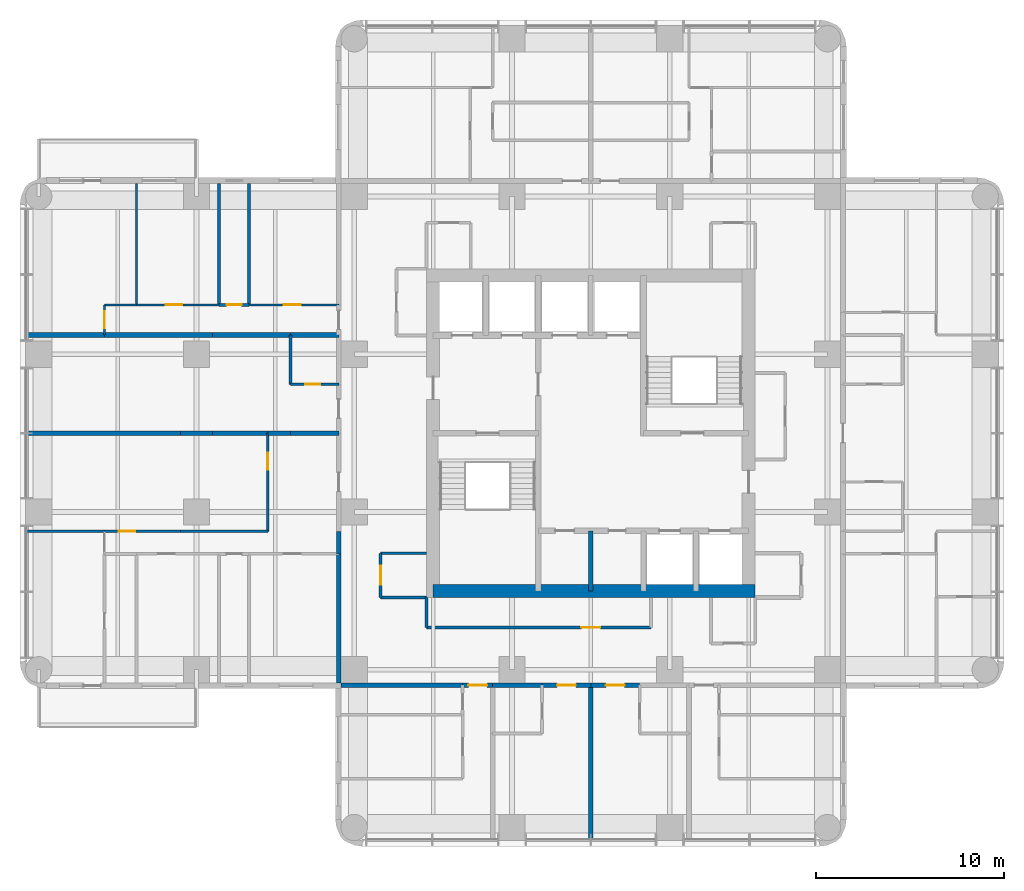
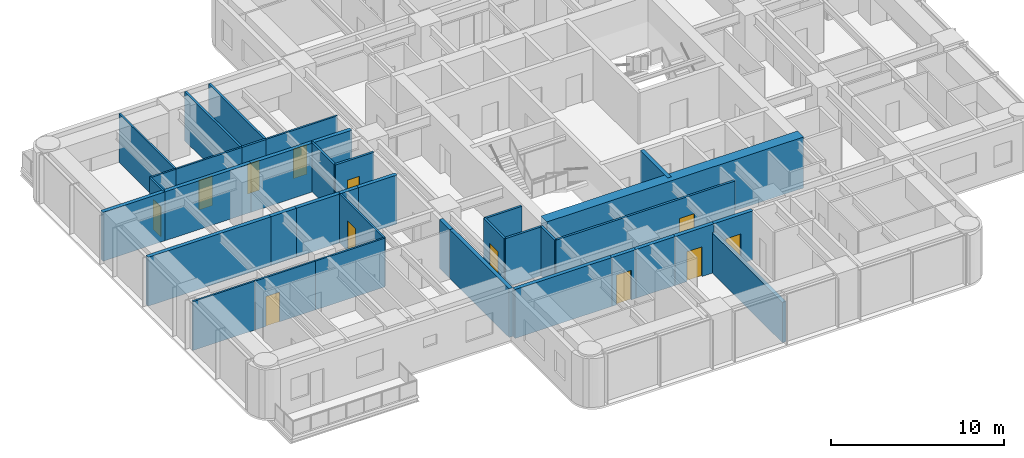
# One storey, part 5 of 11: 38 walls, 12 doors, 12 openings.
"""IFC4 building model written with IfcOpenShell, lengths in metres."""

from ifc_helpers import new_model, si_unit, direction, frame, frame_2d, origin, place, context, subcontext, project, spatial, rectangle, extrude, material, layer, layer_set, type_object, element, fill, save


model = new_model("IFC4")

# Units and contexts
model_context = context("Model", 3, precision=1e-05, world=origin(), true_north=direction((0.0, 1.0)))
body_context = subcontext(model_context, "Body", "Model", "MODEL_VIEW")
ifc_project = project(units=[si_unit("LENGTHUNIT", "METRE"), si_unit("AREAUNIT", "SQUARE_METRE"), si_unit("VOLUMEUNIT", "CUBIC_METRE"), si_unit("PLANEANGLEUNIT", "RADIAN"), si_unit("MASSUNIT", "GRAM", prefix="KILO")], contexts=[model_context])

# Site, building, storey
site_placement = place(None, origin())
site = spatial("IfcSite", under=ifc_project, at=site_placement, CompositionType="ELEMENT")
building_placement = place(site_placement, origin())
building = spatial("IfcBuilding", under=site, at=building_placement, Name="Torre Alcanfor", CompositionType="ELEMENT")
storey_placement = place(building_placement, frame((0.0, 0.0, 237.300048828125)))
storey = spatial("IfcBuildingStorey", under=building, at=storey_placement, Name="L62", CompositionType="ELEMENT", Elevation=237.300048828125)

# Wall, opening, door
ifc_material_1 = material(Name="Concrete block masonry, hollow blocks NMX-C-404 9 MPa", Category="masonry")
ifc_layer_1 = layer(ifc_material_1, 0.25)
ifc_layer_set_1 = layer_set([ifc_layer_1], Name="Apartment entrance wall 250 EI 60")
wall_type_1 = type_object("IfcWallType", Name="Apartment entrance wall 250 EI 60", PredefinedType="PARTITIONING", material=ifc_layer_set_1)
wall_1_placement = place(storey_placement, frame((32.0, 15.97509765625, 0.0), z_axis=(0.0, 0.0, 1.0), x_axis=(-1.0, 0.0, 0.0)))
wall_1 = element("IfcWall", 1, at=wall_1_placement, inside=storey, type_object=wall_type_1, Name="Partition L62-CORR / L62-S1A-STUDIO", PredefinedType="PARTITIONING", context=body_context, shape_type="SweptSolid", body=[
    extrude(rectangle(XDim=2.60009765625, YDim=0.25, at=frame_2d((1.300048828125, 0.0))), origin(), (0.0, 0.0, 1.0), 3.449951171875),
])
opening_1_placement = place(wall_1_placement, frame((0.800048828125, 0.0, 0.0)))
opening_1 = element("IfcOpeningElement", 2, at=opening_1_placement, cuts=wall_1, Name="Opening D-A1", PredefinedType="OPENING", context=body_context, shape_type="SweptSolid", body=[
    extrude(rectangle(XDim=1.0, YDim=2.10009765625, at=frame_2d((0.5, 1.050048828125))), frame((0.0, 0.135009765625, 0.0), z_axis=(0.0, -1.0, 0.0), x_axis=(1.0, 0.0, 0.0)), (0.0, 0.0, 1.0), 0.27001953125),
])
ifc_material_2 = material(Name="Galvanised steel sheet ASTM A653", Category="steel")
door_type_1 = type_object("IfcDoorType", Name="Apartment entrance door FD60 1000x2100", OperationType="SINGLE_SWING_LEFT", PredefinedType="DOOR", material=ifc_material_2)
door_1_placement = place(opening_1_placement, origin())
door_1 = element("IfcDoor", 3, at=door_1_placement, inside=storey, type_object=door_type_1, Name="Apartment entrance L62-S1A", OperationType="SINGLE_SWING_LEFT", OverallHeight=2.10009765625, OverallWidth=1.0, PredefinedType="DOOR", context=body_context, shape_type="SweptSolid", body=[
    extrude(rectangle(XDim=1.0, YDim=2.10009765625, at=frame_2d((0.5, 1.050048828125))), frame((0.0, 0.02490234375, 0.0), z_axis=(0.0, -1.0, 0.0), x_axis=(1.0, 0.0, 0.0)), (0.0, 0.0, 1.0), 0.050048828125),
])
fill(opening_1, door_1)

wall_2_placement = place(storey_placement, frame((29.39990234375, 15.97509765625, 0.0), z_axis=(0.0, 0.0, 1.0), x_axis=(-1.0, 0.0, 0.0)))
wall_2 = element("IfcWall", 4, at=wall_2_placement, inside=storey, type_object=wall_type_1, Name="Partition L62-CORR / L62-S2A-STUDIO", PredefinedType="PARTITIONING", context=body_context, shape_type="SweptSolid", body=[
    extrude(rectangle(XDim=2.599853515625, YDim=0.25, at=frame_2d((1.2998046875, 0.0))), origin(), (0.0, 0.0, 1.0), 3.449951171875),
])
opening_2_placement = place(wall_2_placement, frame((0.800048828125, 0.0, 0.0)))
opening_2 = element("IfcOpeningElement", 5, at=opening_2_placement, cuts=wall_2, Name="Opening D-A1", PredefinedType="OPENING", context=body_context, shape_type="SweptSolid", body=[
    extrude(rectangle(XDim=1.0, YDim=2.10009765625, at=frame_2d((0.5, 1.050048828125))), frame((0.0, 0.135009765625, 0.0), z_axis=(0.0, -1.0, 0.0), x_axis=(1.0, 0.0, 0.0)), (0.0, 0.0, 1.0), 0.27001953125),
])
door_2_placement = place(opening_2_placement, origin())
door_2 = element("IfcDoor", 6, at=door_2_placement, inside=storey, type_object=door_type_1, Name="Apartment entrance L62-S2A", OperationType="SINGLE_SWING_LEFT", OverallHeight=2.10009765625, OverallWidth=1.0, PredefinedType="DOOR", context=body_context, shape_type="SweptSolid", body=[
    extrude(rectangle(XDim=1.0, YDim=2.10009765625, at=frame_2d((0.5, 1.050048828125))), frame((0.0, 0.02490234375, 0.0), z_axis=(0.0, -1.0, 0.0), x_axis=(1.0, 0.0, 0.0)), (0.0, 0.0, 1.0), 0.050048828125),
])
fill(opening_2, door_2)

# Wall
wall_3_placement = place(storey_placement, frame((26.800048828125, 15.97509765625, 0.0), z_axis=(0.0, 0.0, 1.0), x_axis=(-1.0, 0.0, 0.0)))
element("IfcWall", 7, at=wall_3_placement, inside=storey, type_object=wall_type_1, Name="Partition L62-CORR / L62-S2A-BATH", PredefinedType="PARTITIONING", context=body_context, shape_type="SweptSolid", body=[
    extrude(rectangle(XDim=2.629150390625, YDim=0.25, at=frame_2d((1.314453125, 0.0))), origin(), (0.0, 0.0, 1.0), 3.449951171875),
])

# Wall, opening, door
wall_4_placement = place(storey_placement, frame((24.1708984375, 15.97509765625, 0.0), z_axis=(0.0, 0.0, 1.0), x_axis=(-1.0, 0.0, 0.0)))
wall_4 = element("IfcWall", 8, at=wall_4_placement, inside=storey, type_object=wall_type_1, Name="Partition L62-CORR / L62-S2B-LIVING", PredefinedType="PARTITIONING", context=body_context, shape_type="SweptSolid", body=[
    extrude(rectangle(XDim=1.599853515625, YDim=0.25, at=frame_2d((0.7998046875, 0.0))), origin(), (0.0, 0.0, 1.0), 3.449951171875),
])
opening_3_placement = place(wall_4_placement, frame((0.300048828125, 0.0, 0.0)))
opening_3 = element("IfcOpeningElement", 9, at=opening_3_placement, cuts=wall_4, Name="Opening D-A1", PredefinedType="OPENING", context=body_context, shape_type="SweptSolid", body=[
    extrude(rectangle(XDim=1.0, YDim=2.10009765625, at=frame_2d((0.5, 1.050048828125))), frame((0.0, 0.135009765625, 0.0), z_axis=(0.0, -1.0, 0.0), x_axis=(1.0, 0.0, 0.0)), (0.0, 0.0, 1.0), 0.27001953125),
])
door_3_placement = place(opening_3_placement, origin())
door_3 = element("IfcDoor", 10, at=door_3_placement, inside=storey, type_object=door_type_1, Name="Apartment entrance L62-S2B", OperationType="SINGLE_SWING_LEFT", OverallHeight=2.10009765625, OverallWidth=1.0, PredefinedType="DOOR", context=body_context, shape_type="SweptSolid", body=[
    extrude(rectangle(XDim=1.0, YDim=2.10009765625, at=frame_2d((0.5, 1.050048828125))), frame((0.0, 0.02490234375, 0.0), z_axis=(0.0, -1.0, 0.0), x_axis=(1.0, 0.0, 0.0)), (0.0, 0.0, 1.0), 0.050048828125),
])
fill(opening_3, door_3)

# Walls
wall_5_placement = place(storey_placement, frame((22.571044921875, 15.97509765625, 0.0), z_axis=(0.0, 0.0, 1.0), x_axis=(-1.0, 0.0, 0.0)))
element("IfcWall", 11, at=wall_5_placement, inside=storey, type_object=wall_type_1, Name="Partition L62-CORR / L62-S2B-BATH", PredefinedType="PARTITIONING", context=body_context, shape_type="SweptSolid", body=[
    extrude(rectangle(XDim=6.470947265625, YDim=0.25, at=frame_2d((3.2353515625, 0.0))), origin(), (0.0, 0.0, 1.0), 3.449951171875),
])
wall_6_placement = place(storey_placement, frame((15.97509765625, 22.970947265625, 0.0), z_axis=(0.0, 0.0, 1.0), x_axis=(0.0, 1.0, 0.0)))
element("IfcWall", 12, at=wall_6_placement, inside=storey, type_object=wall_type_1, Name="Partition L62-CORR / L62-W1-HALL", PredefinedType="PARTITIONING", context=body_context, shape_type="SweptSolid", body=[
    extrude(rectangle(XDim=1.199951171875, YDim=0.25, at=frame_2d((0.60009765625, 0.0))), origin(), (0.0, 0.0, 1.0), 3.449951171875),
])
wall_7_placement = place(storey_placement, frame((15.97509765625, 16.10009765625, 0.0), z_axis=(0.0, 0.0, 1.0), x_axis=(0.0, 1.0, 0.0)))
element("IfcWall", 13, at=wall_7_placement, inside=storey, type_object=wall_type_1, Name="Partition L62-CORR / L62-W1-BED3", PredefinedType="PARTITIONING", context=body_context, shape_type="SweptSolid", body=[
    extrude(rectangle(XDim=6.870849609375, YDim=0.25, at=frame_2d((3.435546875, 0.0))), origin(), (0.0, 0.0, 1.0), 3.449951171875),
])

# Wall, opening, door
ifc_material_3 = material(Name="Gypsum board on steel studs", Category="steel")
ifc_layer_2 = layer(ifc_material_3, 0.1201171875)
ifc_layer_set_2 = layer_set([ifc_layer_2], Name="Apartment partition 120")
wall_type_2 = type_object("IfcWallType", Name="Apartment partition 120", PredefinedType="PARTITIONING", material=ifc_layer_set_2)
wall_8_placement = place(storey_placement, frame((12.199951171875, 29.39990234375, 0.0), z_axis=(0.0, 0.0, 1.0), x_axis=(0.0, -1.0, 0.0)))
wall_8 = element("IfcWall", 14, at=wall_8_placement, inside=storey, type_object=wall_type_2, Name="Partition L62-W1-ZAG / L62-W1-KITCHEN", PredefinedType="PARTITIONING", context=body_context, shape_type="SweptSolid", body=[
    extrude(rectangle(XDim=5.22900390625, YDim=0.1201171875, at=frame_2d((2.614501953125, 0.0))), origin(), (0.0, 0.0, 1.0), 3.449951171875),
])
opening_4_placement = place(wall_8_placement, frame((1.050048828125, 0.0, 0.0)))
opening_4 = element("IfcOpeningElement", 15, at=opening_4_placement, cuts=wall_8, Name="Opening D-R1", PredefinedType="OPENING", context=body_context, shape_type="SweptSolid", body=[
    extrude(rectangle(XDim=0.89990234375, YDim=2.10009765625, at=frame_2d((0.449951171875, 1.050048828125))), frame((0.0, 0.070068359375, 0.0), z_axis=(0.0, -1.0, 0.0), x_axis=(1.0, 0.0, 0.0)), (0.0, 0.0, 1.0), 0.14013671875),
])
ifc_material_4 = material(Name="Timber", Category="wood")
door_type_2 = type_object("IfcDoorType", Name="Internal door 900x2100", OperationType="SINGLE_SWING_LEFT", PredefinedType="DOOR", material=ifc_material_4)
door_4_placement = place(opening_4_placement, frame((0.89990234375, 0.0, 0.0), z_axis=(0.0, 0.0, 1.0), x_axis=(-1.0, 0.0, 0.0)))
door_4 = element("IfcDoor", 16, at=door_4_placement, inside=storey, type_object=door_type_2, Name="Door L62-W1 kitchen", OperationType="SINGLE_SWING_RIGHT", OverallHeight=2.10009765625, OverallWidth=0.89990234375, PredefinedType="DOOR", context=body_context, shape_type="SweptSolid", body=[
    extrude(rectangle(XDim=0.89990234375, YDim=2.10009765625, at=frame_2d((0.449951171875, 1.050048828125))), frame((0.0, 0.025146484375, 0.0), z_axis=(0.0, -1.0, 0.0), x_axis=(1.0, 0.0, 0.0)), (0.0, 0.0, 1.0), 0.050048828125),
])
fill(opening_4, door_4)

# Wall
wall_9_placement = place(storey_placement, frame((7.550048828125, 24.1708984375, 0.0), z_axis=(0.0, 0.0, 1.0), x_axis=(1.0, 0.0, 0.0)))
element("IfcWall", 17, at=wall_9_placement, inside=storey, type_object=wall_type_2, Name="Partition L62-W1-KITCHEN / L62-W1-HALL", PredefinedType="PARTITIONING", context=body_context, shape_type="SweptSolid", body=[
    extrude(rectangle(XDim=4.64990234375, YDim=0.1201171875, at=frame_2d((2.324951171875, 0.0))), origin(), (0.0, 0.0, 1.0), 3.449951171875),
])

# Wall, opening, door
wall_10_placement = place(storey_placement, frame((3.5, 24.1708984375, 0.0), z_axis=(0.0, 0.0, 1.0), x_axis=(1.0, 0.0, 0.0)))
wall_10 = element("IfcWall", 18, at=wall_10_placement, inside=storey, type_object=wall_type_2, Name="Partition L62-W1-LIVING / L62-W1-HALL", PredefinedType="PARTITIONING", context=body_context, shape_type="SweptSolid", body=[
    extrude(rectangle(XDim=4.050048828125, YDim=0.1201171875, at=frame_2d((2.02490234375, 0.0))), origin(), (0.0, 0.0, 1.0), 3.449951171875),
])
opening_5_placement = place(wall_10_placement, frame((0.75, 0.0, 0.0)))
opening_5 = element("IfcOpeningElement", 19, at=opening_5_placement, cuts=wall_10, Name="Opening D-R1", PredefinedType="OPENING", context=body_context, shape_type="SweptSolid", body=[
    extrude(rectangle(XDim=0.89990234375, YDim=2.10009765625, at=frame_2d((0.449951171875, 1.050048828125))), frame((0.0, 0.070068359375, 0.0), z_axis=(0.0, -1.0, 0.0), x_axis=(1.0, 0.0, 0.0)), (0.0, 0.0, 1.0), 0.14013671875),
])
door_5_placement = place(opening_5_placement, origin())
door_5 = element("IfcDoor", 20, at=door_5_placement, inside=storey, type_object=door_type_2, Name="Door L62-W1 living", OperationType="SINGLE_SWING_RIGHT", OverallHeight=2.10009765625, OverallWidth=0.89990234375, PredefinedType="DOOR", context=body_context, shape_type="SweptSolid", body=[
    extrude(rectangle(XDim=0.89990234375, YDim=2.10009765625, at=frame_2d((0.449951171875, 1.050048828125))), frame((0.0, 0.02490234375, 0.0), z_axis=(0.0, -1.0, 0.0), x_axis=(1.0, 0.0, 0.0)), (0.0, 0.0, 1.0), 0.050048828125),
])
fill(opening_5, door_5)

# Wall
wall_11_placement = place(storey_placement, frame((-0.64990234375, 24.1708984375, 0.0), z_axis=(0.0, 0.0, 1.0), x_axis=(1.0, 0.0, 0.0)))
element("IfcWall", 21, at=wall_11_placement, inside=storey, type_object=wall_type_2, Name="Partition L62-W1-LIVING / L62-W1-MASTER", PredefinedType="PARTITIONING", context=body_context, shape_type="SweptSolid", body=[
    extrude(rectangle(XDim=4.14990234375, YDim=0.1201171875, at=frame_2d((2.074951171875, 0.0))), origin(), (0.0, 0.0, 1.0), 3.449951171875),
])

# Wall, opening, door
wall_12_placement = place(storey_placement, frame((11.199951171875, 36.22900390625, 0.0), z_axis=(0.0, 0.0, 1.0), x_axis=(1.0, 0.0, 0.0)))
wall_12 = element("IfcWall", 22, at=wall_12_placement, inside=storey, type_object=wall_type_2, Name="Partition L62-W2B-HALL / L62-W2B-MASTER", PredefinedType="PARTITIONING", context=body_context, shape_type="SweptSolid", body=[
    extrude(rectangle(XDim=4.775146484375, YDim=0.1201171875, at=frame_2d((2.3876953125, 0.0))), origin(), (0.0, 0.0, 1.0), 3.449951171875),
])
opening_6_placement = place(wall_12_placement, frame((1.85009765625, 0.0, 0.0)))
opening_6 = element("IfcOpeningElement", 23, at=opening_6_placement, cuts=wall_12, Name="Opening D-R1", PredefinedType="OPENING", context=body_context, shape_type="SweptSolid", body=[
    extrude(rectangle(XDim=0.89990234375, YDim=2.10009765625, at=frame_2d((0.449951171875, 1.050048828125))), frame((0.0, 0.070068359375, 0.0), z_axis=(0.0, -1.0, 0.0), x_axis=(1.0, 0.0, 0.0)), (0.0, 0.0, 1.0), 0.14013671875),
])
door_6_placement = place(opening_6_placement, origin())
door_6 = element("IfcDoor", 24, at=door_6_placement, inside=storey, type_object=door_type_2, Name="Door L62-W2B master", OperationType="SINGLE_SWING_LEFT", OverallHeight=2.10009765625, OverallWidth=0.89990234375, PredefinedType="DOOR", context=body_context, shape_type="SweptSolid", body=[
    extrude(rectangle(XDim=0.89990234375, YDim=2.10009765625, at=frame_2d((0.449951171875, 1.050048828125))), frame((0.0, 0.02490234375, 0.0), z_axis=(0.0, -1.0, 0.0), x_axis=(1.0, 0.0, 0.0)), (0.0, 0.0, 1.0), 0.050048828125),
])
fill(opening_6, door_6)

wall_13_placement = place(storey_placement, frame((5.199951171875, 36.22900390625, 0.0), z_axis=(0.0, 0.0, 1.0), x_axis=(1.0, 0.0, 0.0)))
wall_13 = element("IfcWall", 25, at=wall_13_placement, inside=storey, type_object=wall_type_2, Name="Partition L62-W2B-HALL / L62-W2B-STUDY", PredefinedType="PARTITIONING", context=body_context, shape_type="SweptSolid", body=[
    extrude(rectangle(XDim=4.400146484375, YDim=0.1201171875, at=frame_2d((2.2001953125, 0.0))), origin(), (0.0, 0.0, 1.0), 3.449951171875),
])
opening_7_placement = place(wall_13_placement, frame((1.550048828125, 0.0, 0.0)))
opening_7 = element("IfcOpeningElement", 26, at=opening_7_placement, cuts=wall_13, Name="Opening D-R1", PredefinedType="OPENING", context=body_context, shape_type="SweptSolid", body=[
    extrude(rectangle(XDim=0.89990234375, YDim=2.10009765625, at=frame_2d((0.449951171875, 1.050048828125))), frame((0.0, 0.070068359375, 0.0), z_axis=(0.0, -1.0, 0.0), x_axis=(1.0, 0.0, 0.0)), (0.0, 0.0, 1.0), 0.14013671875),
])
door_7_placement = place(opening_7_placement, origin())
door_7 = element("IfcDoor", 27, at=door_7_placement, inside=storey, type_object=door_type_2, Name="Door L62-W2B study", OperationType="SINGLE_SWING_LEFT", OverallHeight=2.10009765625, OverallWidth=0.89990234375, PredefinedType="DOOR", context=body_context, shape_type="SweptSolid", body=[
    extrude(rectangle(XDim=0.89990234375, YDim=2.10009765625, at=frame_2d((0.449951171875, 1.050048828125))), frame((0.0, 0.02490234375, 0.0), z_axis=(0.0, -1.0, 0.0), x_axis=(1.0, 0.0, 0.0)), (0.0, 0.0, 1.0), 0.050048828125),
])
fill(opening_7, door_7)

# Wall
wall_14_placement = place(storey_placement, frame((3.5, 36.22900390625, 0.0), z_axis=(0.0, 0.0, 1.0), x_axis=(1.0, 0.0, 0.0)))
element("IfcWall", 28, at=wall_14_placement, inside=storey, type_object=wall_type_2, Name="Partition L62-W2B-HALL / L62-W2B-KITCHEN", PredefinedType="PARTITIONING", context=body_context, shape_type="SweptSolid", body=[
    extrude(rectangle(XDim=1.699951171875, YDim=0.1201171875, at=frame_2d((0.85009765625, 0.0))), origin(), (0.0, 0.0, 1.0), 3.449951171875),
])

# Wall, opening, door
wall_15_placement = place(storey_placement, frame((3.5, 34.62890625, 0.0), z_axis=(0.0, 0.0, 1.0), x_axis=(0.0, 1.0, 0.0)))
wall_15 = element("IfcWall", 29, at=wall_15_placement, inside=storey, type_object=wall_type_2, Name="Partition L62-W2B-HALL / L62-W2B-LIVING", PredefinedType="PARTITIONING", context=body_context, shape_type="SweptSolid", body=[
    extrude(rectangle(XDim=1.60009765625, YDim=0.1201171875, at=frame_2d((0.800048828125, 0.0))), origin(), (0.0, 0.0, 1.0), 3.449951171875),
])
opening_8_placement = place(wall_15_placement, frame((0.35009765625, 0.0, 0.0)))
opening_8 = element("IfcOpeningElement", 30, at=opening_8_placement, cuts=wall_15, Name="Opening D-R1", PredefinedType="OPENING", context=body_context, shape_type="SweptSolid", body=[
    extrude(rectangle(XDim=0.89990234375, YDim=2.10009765625, at=frame_2d((0.449951171875, 1.050048828125))), frame((0.0, 0.070068359375, 0.0), z_axis=(0.0, -1.0, 0.0), x_axis=(1.0, 0.0, 0.0)), (0.0, 0.0, 1.0), 0.14013671875),
])
door_8_placement = place(opening_8_placement, origin())
door_8 = element("IfcDoor", 31, at=door_8_placement, inside=storey, type_object=door_type_2, Name="Door L62-W2B living", OperationType="SINGLE_SWING_LEFT", OverallHeight=2.10009765625, OverallWidth=0.89990234375, PredefinedType="DOOR", context=body_context, shape_type="SweptSolid", body=[
    extrude(rectangle(XDim=0.89990234375, YDim=2.10009765625, at=frame_2d((0.449951171875, 1.050048828125))), frame((0.0, 0.02490234375, 0.0), z_axis=(0.0, -1.0, 0.0), x_axis=(1.0, 0.0, 0.0)), (0.0, 0.0, 1.0), 0.050048828125),
])
fill(opening_8, door_8)

# Walls
wall_16_placement = place(storey_placement, frame((5.199951171875, 36.22900390625, 0.0), z_axis=(0.0, 0.0, 1.0), x_axis=(0.0, 1.0, 0.0)))
element("IfcWall", 32, at=wall_16_placement, inside=storey, type_object=wall_type_2, Name="Partition L62-W2B-STUDY / L62-W2B-KITCHEN", PredefinedType="PARTITIONING", context=body_context, shape_type="SweptSolid", body=[
    extrude(rectangle(XDim=6.470947265625, YDim=0.1201171875, at=frame_2d((3.2353515625, 0.0))), origin(), (0.0, 0.0, 1.0), 3.449951171875),
])
ifc_material_5 = material(Name="Concrete f'c 70 MPa", Category="concrete")
ifc_layer_3 = layer(ifc_material_5, 0.25)
ifc_layer_set_3 = layer_set([ifc_layer_3], Name="Core shaft wall 250 f'c70")
wall_type_3 = type_object("IfcWallType", Name="Core shaft wall 250 f'c70", PredefinedType="SHEAR", material=ifc_layer_set_3)
wall_17_placement = place(storey_placement, frame((29.39990234375, 21.0, 0.0), z_axis=(0.0, 0.0, 1.0), x_axis=(0.0, 1.0, 0.0)))
element("IfcWall", 33, at=wall_17_placement, inside=storey, type_object=wall_type_3, Name="Core wall X294S L62", PredefinedType="SHEAR", context=body_context, shape_type="SweptSolid", body=[
    extrude(rectangle(XDim=3.199951171875, YDim=0.25, at=frame_2d((1.60009765625, 0.0))), origin(), (0.0, 0.0, 1.0), 3.599853515625),
])
ifc_material_6 = material(Name="Concrete f'c 70 MPa", Category="concrete")
ifc_layer_4 = layer(ifc_material_6, 0.699951171875)
ifc_layer_set_4 = layer_set([ifc_layer_4], Name="Core wall 700 f'c70")
wall_type_4 = type_object("IfcWallType", Name="Core wall 700 f'c70", PredefinedType="SHEAR", material=ifc_layer_set_4)
wall_18_placement = place(storey_placement, frame((21.0, 21.0, 0.0), z_axis=(0.0, 0.0, 1.0), x_axis=(1.0, 0.0, 0.0)))
element("IfcWall", 34, at=wall_18_placement, inside=storey, type_object=wall_type_4, Name="Core wall OUT-S L62", PredefinedType="SHEAR", context=body_context, shape_type="SweptSolid", body=[
    extrude(rectangle(XDim=17.14990234375, YDim=0.699951171875, at=frame_2d((8.574951171875, 0.0))), origin(), (0.0, 0.0, 1.0), 3.599853515625),
])
ifc_material_7 = material(Name="Concrete block masonry, hollow blocks NMX-C-404 9 MPa", Category="masonry")
ifc_layer_5 = layer(ifc_material_7, 0.25)
ifc_layer_set_5 = layer_set([ifc_layer_5], Name="Party wall 250 EI 60")
wall_type_5 = type_object("IfcWallType", Name="Party wall 250 EI 60", PredefinedType="PARTITIONING", material=ifc_layer_set_5)
wall_19_placement = place(storey_placement, frame((29.39990234375, 7.75, 0.0), z_axis=(0.0, 0.0, 1.0), x_axis=(0.0, 1.0, 0.0)))
element("IfcWall", 35, at=wall_19_placement, inside=storey, type_object=wall_type_5, Name="Partition L62-S1A-STUDIO / L62-S2A-STUDIO", PredefinedType="PARTITIONING", context=body_context, shape_type="SweptSolid", body=[
    extrude(rectangle(XDim=8.22509765625, YDim=0.25, at=frame_2d((4.112548828125, 0.0))), origin(), (0.0, 0.0, 1.0), 2.847900390625),
])
wall_20_placement = place(storey_placement, frame((15.97509765625, 29.39990234375, 0.0), z_axis=(0.0, 0.0, 1.0), x_axis=(-1.0, 0.0, 0.0)))
element("IfcWall", 36, at=wall_20_placement, inside=storey, type_object=wall_type_5, Name="Partition L62-W1-ZAG / L62-W2A-FOYER", PredefinedType="PARTITIONING", context=body_context, shape_type="SweptSolid", body=[
    extrude(rectangle(XDim=2.5751953125, YDim=0.25, at=frame_2d((1.28759765625, 0.0))), origin(), (0.0, 0.0, 1.0), 3.449951171875),
])
wall_21_placement = place(storey_placement, frame((13.39990234375, 29.39990234375, 0.0), z_axis=(0.0, 0.0, 1.0), x_axis=(-1.0, 0.0, 0.0)))
element("IfcWall", 37, at=wall_21_placement, inside=storey, type_object=wall_type_5, Name="Partition L62-W1-ZAG / L62-W2A-KITCHEN", PredefinedType="PARTITIONING", context=body_context, shape_type="SweptSolid", body=[
    extrude(rectangle(XDim=1.199951171875, YDim=0.25, at=frame_2d((0.60009765625, 0.0))), origin(), (0.0, 0.0, 1.0), 3.449951171875),
])
wall_22_placement = place(storey_placement, frame((12.199951171875, 29.39990234375, 0.0), z_axis=(0.0, 0.0, 1.0), x_axis=(-1.0, 0.0, 0.0)))
element("IfcWall", 38, at=wall_22_placement, inside=storey, type_object=wall_type_5, Name="Partition L62-W1-KITCHEN / L62-W2A-KITCHEN", PredefinedType="PARTITIONING", context=body_context, shape_type="SweptSolid", body=[
    extrude(rectangle(XDim=2.949951171875, YDim=0.25, at=frame_2d((1.47509765625, 0.0))), origin(), (0.0, 0.0, 1.0), 3.449951171875),
])
wall_23_placement = place(storey_placement, frame((9.25, 29.39990234375, 0.0), z_axis=(0.0, 0.0, 1.0), x_axis=(-1.0, 0.0, 0.0)))
element("IfcWall", 39, at=wall_23_placement, inside=storey, type_object=wall_type_5, Name="Partition L62-W1-KITCHEN / L62-W2A-STUDIO", PredefinedType="PARTITIONING", context=body_context, shape_type="SweptSolid", body=[
    extrude(rectangle(XDim=1.699951171875, YDim=0.25, at=frame_2d((0.85009765625, 0.0))), origin(), (0.0, 0.0, 1.0), 3.449951171875),
])
wall_24_placement = place(storey_placement, frame((7.550048828125, 29.39990234375, 0.0), z_axis=(0.0, 0.0, 1.0), x_axis=(-1.0, 0.0, 0.0)))
element("IfcWall", 40, at=wall_24_placement, inside=storey, type_object=wall_type_5, Name="Partition L62-W1-LIVING / L62-W2A-STUDIO", PredefinedType="PARTITIONING", context=body_context, shape_type="SweptSolid", body=[
    extrude(rectangle(XDim=8.199951171875, YDim=0.25, at=frame_2d((4.10009765625, 0.0))), origin(), (0.0, 0.0, 1.0), 3.449951171875),
])
wall_25_placement = place(storey_placement, frame((13.39990234375, 34.62890625, 0.0), z_axis=(0.0, 0.0, 1.0), x_axis=(1.0, 0.0, 0.0)))
element("IfcWall", 41, at=wall_25_placement, inside=storey, type_object=wall_type_5, Name="Partition L62-W2A-BATH / L62-W2B-HALL", PredefinedType="PARTITIONING", context=body_context, shape_type="SweptSolid", body=[
    extrude(rectangle(XDim=2.5751953125, YDim=0.25, at=frame_2d((1.28759765625, 0.0))), origin(), (0.0, 0.0, 1.0), 3.449951171875),
])
wall_26_placement = place(storey_placement, frame((9.25, 34.62890625, 0.0), z_axis=(0.0, 0.0, 1.0), x_axis=(1.0, 0.0, 0.0)))
element("IfcWall", 42, at=wall_26_placement, inside=storey, type_object=wall_type_5, Name="Partition L62-W2A-KITCHEN / L62-W2B-HALL", PredefinedType="PARTITIONING", context=body_context, shape_type="SweptSolid", body=[
    extrude(rectangle(XDim=4.14990234375, YDim=0.25, at=frame_2d((2.074951171875, 0.0))), origin(), (0.0, 0.0, 1.0), 3.449951171875),
])
wall_27_placement = place(storey_placement, frame((3.5, 34.62890625, 0.0), z_axis=(0.0, 0.0, 1.0), x_axis=(1.0, 0.0, 0.0)))
element("IfcWall", 43, at=wall_27_placement, inside=storey, type_object=wall_type_5, Name="Partition L62-W2A-STUDIO / L62-W2B-HALL", PredefinedType="PARTITIONING", context=body_context, shape_type="SweptSolid", body=[
    extrude(rectangle(XDim=5.75, YDim=0.25, at=frame_2d((2.875, 0.0))), origin(), (0.0, 0.0, 1.0), 3.449951171875),
])
wall_28_placement = place(storey_placement, frame((-0.64990234375, 34.62890625, 0.0), z_axis=(0.0, 0.0, 1.0), x_axis=(1.0, 0.0, 0.0)))
element("IfcWall", 44, at=wall_28_placement, inside=storey, type_object=wall_type_5, Name="Partition L62-W2A-STUDIO / L62-W2B-LIVING", PredefinedType="PARTITIONING", context=body_context, shape_type="SweptSolid", body=[
    extrude(rectangle(XDim=4.14990234375, YDim=0.25, at=frame_2d((2.074951171875, 0.0))), origin(), (0.0, 0.0, 1.0), 3.449951171875),
])
ifc_material_8 = material(Name="Concrete block masonry, hollow blocks NMX-C-404 9 MPa", Category="masonry")
ifc_layer_6 = layer(ifc_material_8, 0.14990234375)
ifc_layer_set_6 = layer_set([ifc_layer_6], Name="Residents' room partition 150")
wall_type_6 = type_object("IfcWallType", Name="Residents' room partition 150", PredefinedType="PARTITIONING", material=ifc_layer_set_6)
wall_29_placement = place(storey_placement, frame((20.64990234375, 20.64990234375, 0.0), z_axis=(0.0, 0.0, 1.0), x_axis=(0.0, -1.0, 0.0)))
element("IfcWall", 45, at=wall_29_placement, inside=storey, type_object=wall_type_6, Name="Partition L62-CORR / L62-G05", PredefinedType="PARTITIONING", context=body_context, shape_type="SweptSolid", body=[
    extrude(rectangle(XDim=1.599853515625, YDim=0.14990234375, at=frame_2d((0.7998046875, 0.0))), origin(), (0.0, 0.0, 1.0), 3.449951171875),
])

# Wall, opening, door
wall_30_placement = place(storey_placement, frame((20.64990234375, 19.050048828125, 0.0), z_axis=(0.0, 0.0, 1.0), x_axis=(1.0, 0.0, 0.0)))
wall_30 = element("IfcWall", 46, at=wall_30_placement, inside=storey, type_object=wall_type_6, Name="Partition L62-CORR / L62-G05", PredefinedType="PARTITIONING", context=body_context, shape_type="SweptSolid", body=[
    extrude(rectangle(XDim=11.9501953125, YDim=0.14990234375, at=frame_2d((5.97509765625, 0.0))), origin(), (0.0, 0.0, 1.0), 3.449951171875),
])
opening_9_placement = place(wall_30_placement, frame((8.25, 0.0, 0.0)))
opening_9 = element("IfcOpeningElement", 47, at=opening_9_placement, cuts=wall_30, Name="Opening D-M1", PredefinedType="OPENING", context=body_context, shape_type="SweptSolid", body=[
    extrude(rectangle(XDim=1.0, YDim=2.10009765625, at=frame_2d((0.5, 1.050048828125))), frame((0.0, 0.0849609375, 0.0), z_axis=(0.0, -1.0, 0.0), x_axis=(1.0, 0.0, 0.0)), (0.0, 0.0, 1.0), 0.169921875),
])
ifc_material_9 = material(Name="Timber", Category="wood")
door_type_3 = type_object("IfcDoorType", Name="Residents' room door 1000x2100", OperationType="SINGLE_SWING_LEFT", PredefinedType="DOOR", material=ifc_material_9)
door_9_placement = place(opening_9_placement, origin())
door_9 = element("IfcDoor", 48, at=door_9_placement, inside=storey, type_object=door_type_3, Name="Door L62-G05 quiet room", OperationType="SINGLE_SWING_RIGHT", OverallHeight=2.10009765625, OverallWidth=1.0, PredefinedType="DOOR", context=body_context, shape_type="SweptSolid", body=[
    extrude(rectangle(XDim=1.0, YDim=2.10009765625, at=frame_2d((0.5, 1.050048828125))), frame((0.0, 0.02490234375, 0.0), z_axis=(0.0, -1.0, 0.0), x_axis=(1.0, 0.0, 0.0)), (0.0, 0.0, 1.0), 0.050048828125),
])
fill(opening_9, door_9)

# Wall
wall_31_placement = place(storey_placement, frame((20.64990234375, 23.0, 0.0), z_axis=(0.0, 0.0, 1.0), x_axis=(-1.0, 0.0, 0.0)))
element("IfcWall", 49, at=wall_31_placement, inside=storey, type_object=wall_type_6, Name="Partition L62-CORR / L62-G07", PredefinedType="PARTITIONING", context=body_context, shape_type="SweptSolid", body=[
    extrude(rectangle(XDim=2.449951171875, YDim=0.14990234375, at=frame_2d((1.22509765625, 0.0))), origin(), (0.0, 0.0, 1.0), 3.449951171875),
])

# Wall, opening, door
wall_32_placement = place(storey_placement, frame((18.199951171875, 23.0, 0.0), z_axis=(0.0, 0.0, 1.0), x_axis=(0.0, -1.0, 0.0)))
wall_32 = element("IfcWall", 50, at=wall_32_placement, inside=storey, type_object=wall_type_6, Name="Partition L62-CORR / L62-G07", PredefinedType="PARTITIONING", context=body_context, shape_type="SweptSolid", body=[
    extrude(rectangle(XDim=2.35009765625, YDim=0.14990234375, at=frame_2d((1.175048828125, 0.0))), origin(), (0.0, 0.0, 1.0), 3.449951171875),
])
opening_10_placement = place(wall_32_placement, frame((0.675048828125, 0.0, 0.0)))
opening_10 = element("IfcOpeningElement", 51, at=opening_10_placement, cuts=wall_32, Name="Opening D-M1", PredefinedType="OPENING", context=body_context, shape_type="SweptSolid", body=[
    extrude(rectangle(XDim=1.0, YDim=2.10009765625, at=frame_2d((0.5, 1.050048828125))), frame((0.0, 0.0849609375, 0.0), z_axis=(0.0, -1.0, 0.0), x_axis=(1.0, 0.0, 0.0)), (0.0, 0.0, 1.0), 0.169921875),
])
door_10_placement = place(opening_10_placement, origin())
door_10 = element("IfcDoor", 52, at=door_10_placement, inside=storey, type_object=door_type_3, Name="Door L62-G07 residents' storage", OperationType="SINGLE_SWING_LEFT", OverallHeight=2.10009765625, OverallWidth=1.0, PredefinedType="DOOR", context=body_context, shape_type="SweptSolid", body=[
    extrude(rectangle(XDim=1.0, YDim=2.10009765625, at=frame_2d((0.5, 1.050048828125))), frame((0.0, 0.02490234375, 0.0), z_axis=(0.0, -1.0, 0.0), x_axis=(1.0, 0.0, 0.0)), (0.0, 0.0, 1.0), 0.050048828125),
])
fill(opening_10, door_10)

# Wall
wall_33_placement = place(storey_placement, frame((18.199951171875, 20.64990234375, 0.0), z_axis=(0.0, 0.0, 1.0), x_axis=(1.0, 0.0, 0.0)))
element("IfcWall", 53, at=wall_33_placement, inside=storey, type_object=wall_type_6, Name="Partition L62-CORR / L62-G07", PredefinedType="PARTITIONING", context=body_context, shape_type="SweptSolid", body=[
    extrude(rectangle(XDim=2.449951171875, YDim=0.14990234375, at=frame_2d((1.22509765625, 0.0))), origin(), (0.0, 0.0, 1.0), 3.449951171875),
])

# Wall, opening, door
ifc_material_10 = material(Name="Cement board on steel studs", Category="steel")
ifc_layer_7 = layer(ifc_material_10, 0.14990234375)
ifc_layer_set_7 = layer_set([ifc_layer_7], Name="Wet area partition 150")
wall_type_7 = type_object("IfcWallType", Name="Wet area partition 150", PredefinedType="PARTITIONING", material=ifc_layer_set_7)
wall_34_placement = place(storey_placement, frame((13.39990234375, 32.0, 0.0), z_axis=(0.0, 0.0, 1.0), x_axis=(1.0, 0.0, 0.0)))
wall_34 = element("IfcWall", 54, at=wall_34_placement, inside=storey, type_object=wall_type_7, Name="Partition L62-W2A-FOYER / L62-W2A-BATH", PredefinedType="PARTITIONING", context=body_context, shape_type="SweptSolid", body=[
    extrude(rectangle(XDim=2.5751953125, YDim=0.14990234375, at=frame_2d((1.28759765625, 0.0))), origin(), (0.0, 0.0, 1.0), 3.449951171875),
])
opening_11_placement = place(wall_34_placement, frame((0.800048828125, 0.0, 0.0)))
opening_11 = element("IfcOpeningElement", 55, at=opening_11_placement, cuts=wall_34, Name="Opening D-R2", PredefinedType="OPENING", context=body_context, shape_type="SweptSolid", body=[
    extrude(rectangle(XDim=0.800048828125, YDim=2.10009765625, at=frame_2d((0.39990234375, 1.050048828125))), frame((0.0, 0.0849609375, 0.0), z_axis=(0.0, -1.0, 0.0), x_axis=(1.0, 0.0, 0.0)), (0.0, 0.0, 1.0), 0.169921875),
])
ifc_material_11 = material(Name="Timber", Category="wood")
door_type_4 = type_object("IfcDoorType", Name="Bathroom door 800x2100", OperationType="SINGLE_SWING_LEFT", PredefinedType="DOOR", material=ifc_material_11)
door_11_placement = place(opening_11_placement, origin())
door_11 = element("IfcDoor", 56, at=door_11_placement, inside=storey, type_object=door_type_4, Name="Door L62-W2A bath", OperationType="SINGLE_SWING_LEFT", OverallHeight=2.10009765625, OverallWidth=0.800048828125, PredefinedType="DOOR", context=body_context, shape_type="SweptSolid", body=[
    extrude(rectangle(XDim=0.800048828125, YDim=2.10009765625, at=frame_2d((0.39990234375, 1.050048828125))), frame((0.0, 0.02490234375, 0.0), z_axis=(0.0, -1.0, 0.0), x_axis=(1.0, 0.0, 0.0)), (0.0, 0.0, 1.0), 0.050048828125),
])
fill(opening_11, door_11)

# Wall
wall_35_placement = place(storey_placement, frame((13.39990234375, 32.0, 0.0), z_axis=(0.0, 0.0, 1.0), x_axis=(0.0, 1.0, 0.0)))
element("IfcWall", 57, at=wall_35_placement, inside=storey, type_object=wall_type_7, Name="Partition L62-W2A-BATH / L62-W2A-KITCHEN", PredefinedType="PARTITIONING", context=body_context, shape_type="SweptSolid", body=[
    extrude(rectangle(XDim=2.62890625, YDim=0.14990234375, at=frame_2d((1.314453125, 0.0))), origin(), (0.0, 0.0, 1.0), 3.449951171875),
])

# Wall, opening, door
wall_36_placement = place(storey_placement, frame((9.60009765625, 36.22900390625, 0.0), z_axis=(0.0, 0.0, 1.0), x_axis=(1.0, 0.0, 0.0)))
wall_36 = element("IfcWall", 58, at=wall_36_placement, inside=storey, type_object=wall_type_7, Name="Partition L62-W2B-HALL / L62-W2B-BATH", PredefinedType="PARTITIONING", context=body_context, shape_type="SweptSolid", body=[
    extrude(rectangle(XDim=1.599853515625, YDim=0.14990234375, at=frame_2d((0.7998046875, 0.0))), origin(), (0.0, 0.0, 1.0), 3.449951171875),
])
opening_12_placement = place(wall_36_placement, frame((0.39990234375, 0.0, 0.0)))
opening_12 = element("IfcOpeningElement", 59, at=opening_12_placement, cuts=wall_36, Name="Opening D-R2", PredefinedType="OPENING", context=body_context, shape_type="SweptSolid", body=[
    extrude(rectangle(XDim=0.800048828125, YDim=2.10009765625, at=frame_2d((0.39990234375, 1.050048828125))), frame((0.0, 0.0849609375, 0.0), z_axis=(0.0, -1.0, 0.0), x_axis=(1.0, 0.0, 0.0)), (0.0, 0.0, 1.0), 0.169921875),
])
door_12_placement = place(opening_12_placement, origin())
door_12 = element("IfcDoor", 60, at=door_12_placement, inside=storey, type_object=door_type_4, Name="Door L62-W2B bath", OperationType="SINGLE_SWING_LEFT", OverallHeight=2.10009765625, OverallWidth=0.800048828125, PredefinedType="DOOR", context=body_context, shape_type="SweptSolid", body=[
    extrude(rectangle(XDim=0.800048828125, YDim=2.10009765625, at=frame_2d((0.39990234375, 1.050048828125))), frame((0.0, 0.02490234375, 0.0), z_axis=(0.0, -1.0, 0.0), x_axis=(1.0, 0.0, 0.0)), (0.0, 0.0, 1.0), 0.050048828125),
])
fill(opening_12, door_12)

# Walls
for number, where, z_axis, x_axis, name in (
    (61, (11.199951171875, 36.22900390625, 0.0), (0.0, 0.0, 1.0), (0.0, 1.0, 0.0), "Partition L62-W2B-MASTER / L62-W2B-BATH"),
    (62, (9.60009765625, 36.22900390625, 0.0), (0.0, 0.0, 1.0), (0.0, 1.0, 0.0), "Partition L62-W2B-BATH / L62-W2B-STUDY"),
):
    element("IfcWall", number, at=place(storey_placement, frame(where, z_axis=z_axis, x_axis=x_axis)), inside=storey, type_object=wall_type_7, Name=name, PredefinedType="PARTITIONING", context=body_context, shape_type="SweptSolid", body=[
        extrude(rectangle(XDim=6.470947265625, YDim=0.14990234375, at=frame_2d((3.2353515625, 0.0))), origin(), (0.0, 0.0, 1.0), 3.449951171875),
    ])

save(model, "model.ifc")
